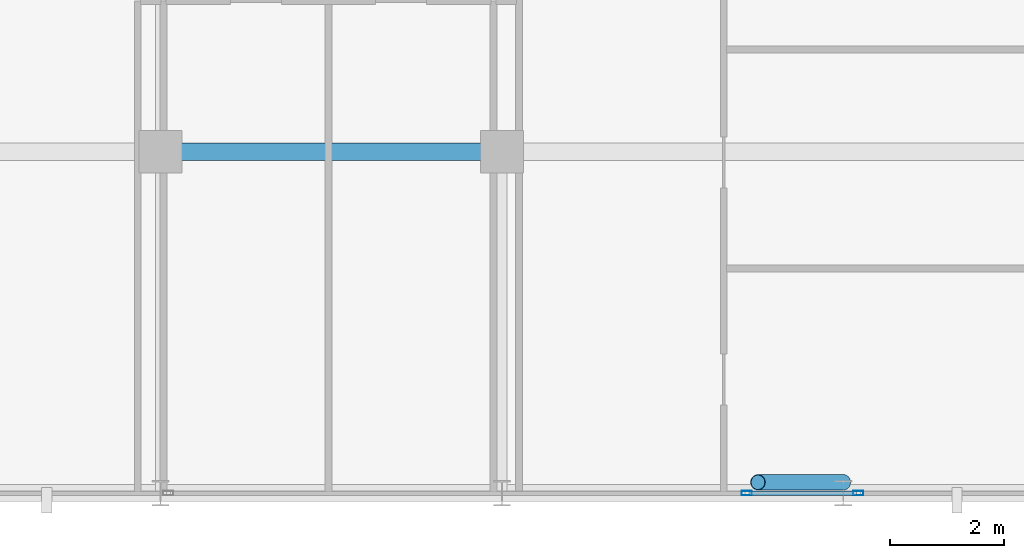
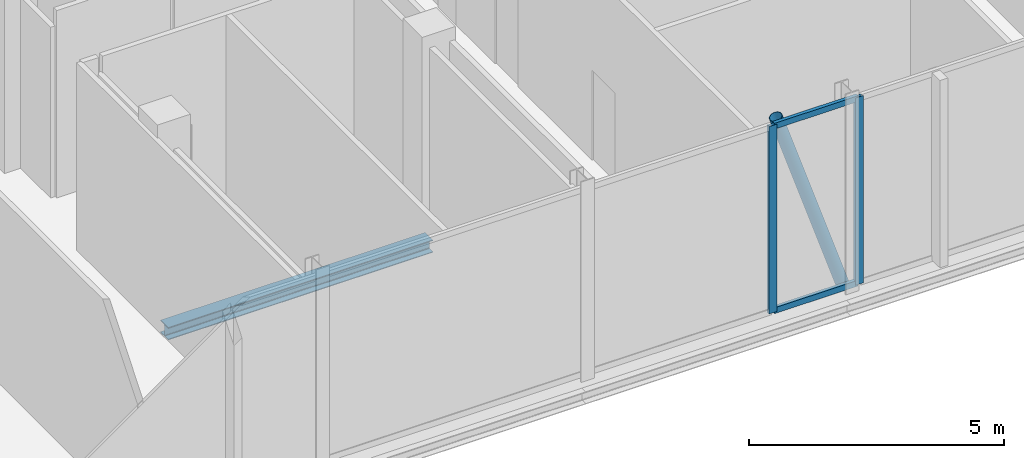
# One storey, part 10 of 29: 5 members, 1 beam, 2 elements without a shape of their own.
"""IFC4 building model written with IfcOpenShell, lengths in metres."""

from ifc_helpers import new_model, si_unit, direction, frame, origin, origin_2d, place, context, subcontext, project, spatial, hollow_rectangle, hollow_circle, i_section, extrude, material, layer, layer_set, material_profile, profile_set, type_object, element, aggregate, save


model = new_model("IFC4")

# Units and contexts
model_context = context("Model", 3, precision=1e-05, world=origin(), true_north=direction((0.0, 1.0)))
body_context = subcontext(model_context, "Body", "Model", "MODEL_VIEW")
ifc_project = project(units=[si_unit("LENGTHUNIT", "METRE"), si_unit("AREAUNIT", "SQUARE_METRE"), si_unit("VOLUMEUNIT", "CUBIC_METRE"), si_unit("PLANEANGLEUNIT", "RADIAN"), si_unit("MASSUNIT", "GRAM", prefix="KILO")], contexts=[model_context])

# Site, building, storey
site_placement = place(None, origin())
site = spatial("IfcSite", under=ifc_project, at=site_placement, CompositionType="ELEMENT")
building_placement = place(site_placement, origin())
building = spatial("IfcBuilding", under=site, at=building_placement, Name="Keshet Zoharim Tower", CompositionType="ELEMENT")
storey_placement = place(building_placement, frame((0.0, 0.0, 218.0)))
storey = spatial("IfcBuildingStorey", under=building, at=storey_placement, Name="L54", CompositionType="ELEMENT", Elevation=218.0)

# Beam
ifc_material_1 = material(Name="Steel S355", Category="steel")
ifc_material_profile_1 = material_profile(ifc_material_1, i_section(OverallWidth=0.300048828125, OverallDepth=0.300048828125, WebThickness=0.010986328125, FlangeThickness=0.01904296875, FilletRadius=0.027099609375, at=origin_2d()), Name="HEB300")
ifc_profile_set_1 = profile_set([ifc_material_profile_1], Name="Steel S355")
beam_type = type_object("IfcBeamType", Name="BM-PRI-HB300", PredefinedType="BEAM", material=ifc_profile_set_1)
beam_placement = place(storey_placement, frame((33.0, 6.699951171875, -0.469970703125), z_axis=(1.0, 0.0, 0.0), x_axis=(0.0, 1.0, 0.0)))
element("IfcBeam", 1, at=beam_placement, inside=storey, type_object=beam_type, Name="L54 Primary Girder X-007", PredefinedType="BEAM", context=body_context, shape_type="SweptSolid", body=[
    extrude(i_section(OverallWidth=0.300048828125, OverallDepth=0.300048828125, WebThickness=0.010986328125, FlangeThickness=0.01904296875, FilletRadius=0.027099609375, at=origin_2d()), origin(), (0.0, 0.0, 1.0), 6.0),
])

# Curtain wall, member
ifc_material_2 = material(Name="Aluminium 6063-T6", Category="aluminium")
ifc_layer = layer(ifc_material_2, 0.14990234375)
ifc_layer_set = layer_set([ifc_layer], Name="Aluminium 6063-T6")
curtain_wall_type = type_object("IfcCurtainWallType", Name="CW-SYS-04", PredefinedType="NOTDEFINED", material=ifc_layer_set)
curtain_wall_1_placement = place(storey_placement, origin())
curtain_wall_1 = element("IfcCurtainWall", 2, at=curtain_wall_1_placement, inside=storey, type_object=curtain_wall_type, Name="L54 Unitised Curtain Wall 06", PredefinedType="NOTDEFINED")
ifc_material_profile_2 = material_profile(ifc_material_2, hollow_rectangle(XDim=0.080078125, YDim=0.179931640625, WallThickness=0.00439453125, at=origin_2d()), Name="MUL-80x180")
ifc_profile_set_2 = profile_set([ifc_material_profile_2], Name="Aluminium 6063-T6")
member_type_1 = type_object("IfcMemberType", Name="CWM-M18", PredefinedType="MULLION", material=ifc_profile_set_2)
member_1_placement = place(storey_placement, frame((45.264404296875, 0.699951171875, 0.0), z_axis=(0.0, 0.0, 1.0), x_axis=(0.0, -1.0, 0.0)))
member_1 = element("IfcMember", 3, at=member_1_placement, type_object=member_type_1, Name="CW-04 mullion 2", PredefinedType="MULLION", context=body_context, shape_type="SweptSolid", body=[
    extrude(hollow_rectangle(XDim=0.080078125, YDim=0.179931640625, WallThickness=0.00439453125, at=origin_2d()), origin(), (0.0, 0.0, 1.0), 4.489990234375),
])
aggregate(curtain_wall_1, [member_1])

# Curtain wall, members
curtain_wall_2_placement = place(storey_placement, origin())
curtain_wall_2 = element("IfcCurtainWall", 4, at=curtain_wall_2_placement, inside=storey, type_object=curtain_wall_type, Name="L54 Unitised Curtain Wall 06 Part 2", PredefinedType="NOTDEFINED")
member_2_placement = place(storey_placement, frame((43.305419921875, 0.699951171875, 0.0), z_axis=(0.0, 0.0, 1.0), x_axis=(0.0, -1.0, 0.0)))
member_2 = element("IfcMember", 5, at=member_2_placement, type_object=member_type_1, Name="CW-04 mullion 2", PredefinedType="MULLION", context=body_context, shape_type="SweptSolid", body=[
    extrude(hollow_rectangle(XDim=0.080078125, YDim=0.179931640625, WallThickness=0.00439453125, at=origin_2d()), origin(), (0.0, 0.0, 1.0), 4.489990234375),
])
ifc_material_profile_3 = material_profile(ifc_material_2, hollow_rectangle(XDim=0.080078125, YDim=0.139892578125, WallThickness=0.00390625, at=origin_2d()), Name="TRN-80x140")
ifc_profile_set_3 = profile_set([ifc_material_profile_3], Name="Aluminium 6063-T6")
member_type_2 = type_object("IfcMemberType", Name="CWT-T14", PredefinedType="USERDEFINED", material=ifc_profile_set_3)
member_3_placement = place(storey_placement, frame((45.2294921875, 0.699951171875, 0.034912109375), z_axis=(-1.0, 0.0, 0.0), x_axis=(0.0, -1.0, 0.0)))
member_3 = element("IfcMember", 6, at=member_3_placement, type_object=member_type_2, Name="CW-04 transom 1.1", ObjectType="TRANSOM", PredefinedType="USERDEFINED", context=body_context, shape_type="SweptSolid", body=[
    extrude(hollow_rectangle(XDim=0.080078125, YDim=0.139892578125, WallThickness=0.00390625, at=origin_2d()), origin(), (0.0, 0.0, 1.0), 1.888916015625),
])
member_4_placement = place(storey_placement, frame((45.2294921875, 0.699951171875, 4.455078125), z_axis=(-1.0, 0.0, 0.0), x_axis=(0.0, -1.0, 0.0)))
member_4 = element("IfcMember", 7, at=member_4_placement, type_object=member_type_2, Name="CW-04 transom 1.2", ObjectType="TRANSOM", PredefinedType="USERDEFINED", context=body_context, shape_type="SweptSolid", body=[
    extrude(hollow_rectangle(XDim=0.080078125, YDim=0.139892578125, WallThickness=0.00390625, at=origin_2d()), origin(), (0.0, 0.0, 1.0), 1.888916015625),
])
aggregate(curtain_wall_2, [member_2, member_3, member_4])

# Member
ifc_material_profile_4 = material_profile(ifc_material_1, hollow_circle(Radius=0.136474609375, WallThickness=0.010009765625, at=origin_2d()), Name="CHS273x10")
ifc_profile_set_4 = profile_set([ifc_material_profile_4], Name="Steel S355")
member_type_3 = type_object("IfcMemberType", Name="MB-BR-C273", PredefinedType="BRACE", material=ifc_profile_set_4)
member_5_placement = place(storey_placement, frame((45.0, 0.889892578125, 0.0), z_axis=(-0.316862038272, 0.0, 0.948471638323), x_axis=(0.0, -1.0, 0.0)))
element("IfcMember", 8, at=member_5_placement, inside=storey, type_object=member_type_3, Name="L54 Perimeter Tube Brace 03", PredefinedType="BRACE", context=body_context, shape_type="SweptSolid", body=[
    extrude(hollow_circle(Radius=0.136474609375, WallThickness=0.010009765625, at=origin_2d()), origin(), (0.0, 0.0, 1.0), 4.73388671875),
])

save(model, "model.ifc")
